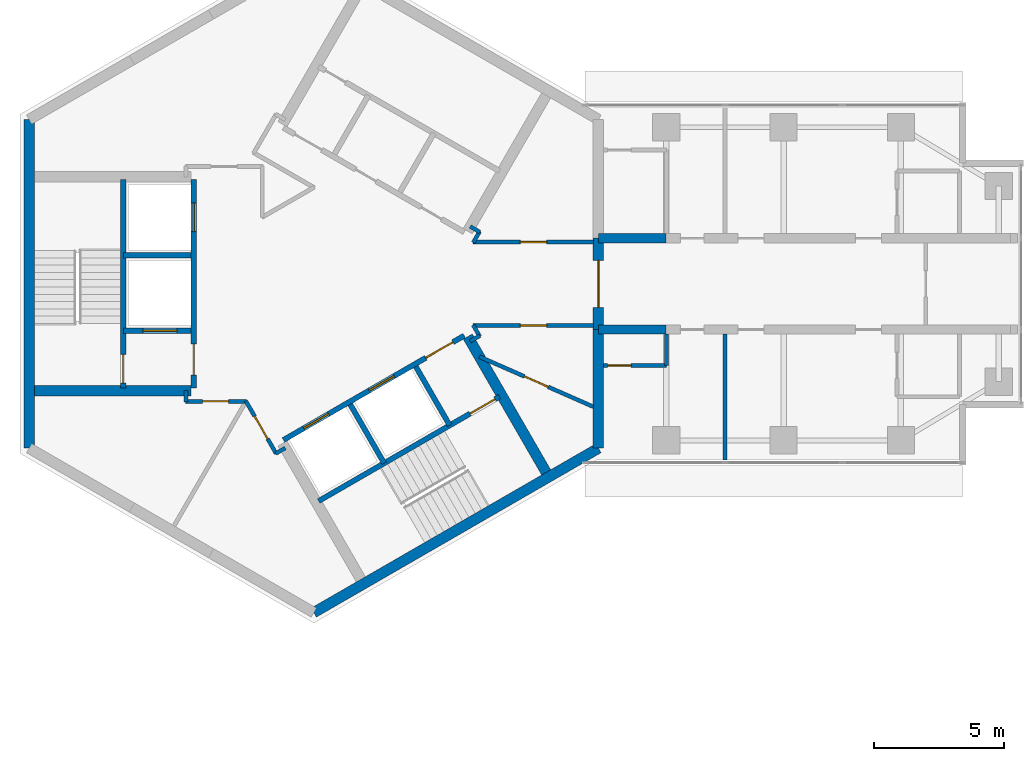
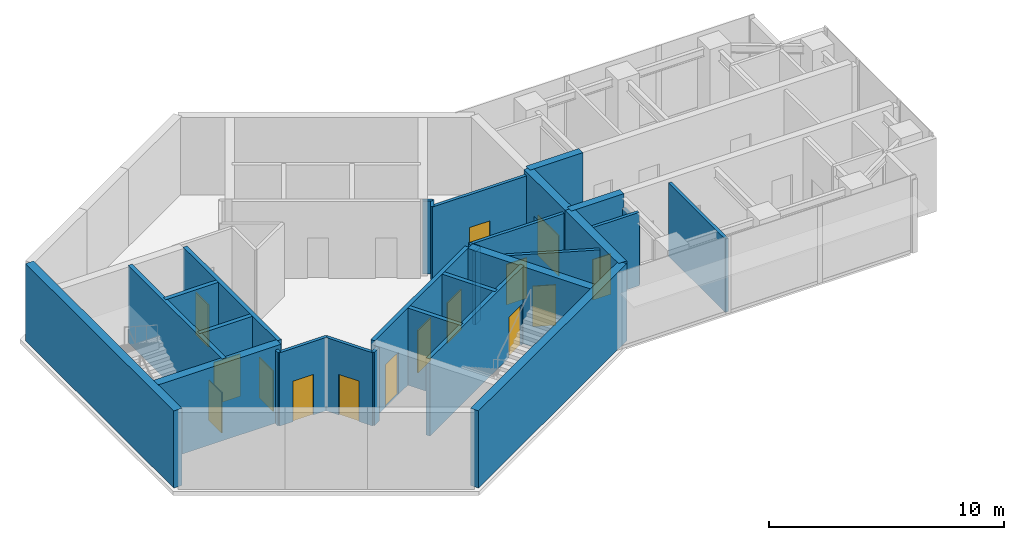
# One storey, part 5 of 11: 30 walls, 15 doors, 15 openings.
"""IFC4 building model written with IfcOpenShell, lengths in metres."""

from ifc_helpers import new_model, si_unit, direction, frame, frame_2d, origin, place, context, subcontext, project, spatial, rectangle, extrude, material, layer, layer_set, type_object, element, fill, save


model = new_model("IFC4")

# Units and contexts
model_context = context("Model", 3, precision=1e-05, world=origin(), true_north=direction((0.0, 1.0)))
body_context = subcontext(model_context, "Body", "Model", "MODEL_VIEW")
ifc_project = project(units=[si_unit("LENGTHUNIT", "METRE"), si_unit("AREAUNIT", "SQUARE_METRE"), si_unit("VOLUMEUNIT", "CUBIC_METRE"), si_unit("PLANEANGLEUNIT", "RADIAN"), si_unit("MASSUNIT", "GRAM", prefix="KILO")], contexts=[model_context])

# Site, building, storey
site_placement = place(None, origin())
site = spatial("IfcSite", under=ifc_project, at=site_placement, CompositionType="ELEMENT")
building_placement = place(site_placement, origin())
building = spatial("IfcBuilding", under=site, at=building_placement, Name="Upepo Twin Towers", CompositionType="ELEMENT")
storey_placement = place(building_placement, frame((0.0, 0.0, 255.5)))
storey = spatial("IfcBuildingStorey", under=building, at=storey_placement, Name="L62", CompositionType="ELEMENT", Elevation=255.5)

# Walls
ifc_material_1 = material(Name="Concrete C60/75", Category="concrete")
ifc_layer_1 = layer(ifc_material_1, 0.35009765625)
ifc_layer_set_1 = layer_set([ifc_layer_1], Name="Concrete C60/75")
wall_type_1 = type_object("IfcWallType", Name="Buttress wall 350 RC", PredefinedType="SHEAR", material=ifc_layer_set_1)
for number, where, z_axis, x_axis, name in (
    (1, (10.908447265625, 1.75, 0.0), (0.0, 0.0, 1.0), (1.0, 0.0, 0.0), "T1 wing A buttress wall L"),
    (2, (10.908447265625, -1.75, 0.0), (0.0, 0.0, 1.0), (1.0, 0.0, 0.0), "T1 wing A buttress wall R"),
):
    element("IfcWall", number, at=place(storey_placement, frame(where, z_axis=z_axis, x_axis=x_axis)), inside=storey, type_object=wall_type_1, Name=name, PredefinedType="SHEAR", context=body_context, shape_type="SweptSolid", body=[
        extrude(rectangle(XDim=2.591552734375, YDim=0.35009765625, at=frame_2d((1.2958984375, 0.0))), origin(), (0.0, 0.0, 1.0), 4.0),
    ])
ifc_material_2 = material(Name="Concrete C60/75", Category="concrete")
ifc_layer_2 = layer(ifc_material_2, 0.39990234375)
ifc_layer_set_2 = layer_set([ifc_layer_2], Name="Concrete C60/75")
wall_type_2 = type_object("IfcWallType", Name="Core wall 400 RC", PredefinedType="SHEAR", material=ifc_layer_set_2)
wall_1_placement = place(storey_placement, frame((10.908447265625, -6.2978515625, 0.0), z_axis=(0.0, 0.0, 1.0), x_axis=(0.0, 1.0, 0.0)))
element("IfcWall", 3, at=wall_1_placement, inside=storey, type_object=wall_type_2, Name="T1 core wall 000 R", PredefinedType="SHEAR", context=body_context, shape_type="SweptSolid", body=[
    extrude(rectangle(XDim=4.5478515625, YDim=0.39990234375, at=frame_2d((2.27392578125, 0.0))), origin(), (0.0, 0.0, 1.0), 4.0),
])

# Wall, opening, door
wall_2_placement = place(storey_placement, frame((10.908447265625, -1.75, 0.0), z_axis=(0.0, 0.0, 1.0), x_axis=(0.0, 1.0, 0.0)))
wall_2 = element("IfcWall", 4, at=wall_2_placement, inside=storey, type_object=wall_type_2, Name="T1 core wall 000", PredefinedType="SHEAR", context=body_context, shape_type="SweptSolid", body=[
    extrude(rectangle(XDim=3.5, YDim=0.39990234375, at=frame_2d((1.75, 0.0))), origin(), (0.0, 0.0, 1.0), 4.0),
])
opening_1_placement = place(wall_2_placement, frame((0.85009765625, 0.0, 0.0)))
opening_1 = element("IfcOpeningElement", 5, at=opening_1_placement, cuts=wall_2, Name="Opening D2", PredefinedType="OPENING", context=body_context, shape_type="SweptSolid", body=[
    extrude(rectangle(XDim=1.800048828125, YDim=2.10009765625, at=frame_2d((0.89990234375, 1.050048828125))), frame((0.0, 0.2099609375, 0.0), z_axis=(0.0, -1.0, 0.0), x_axis=(1.0, 0.0, 0.0)), (0.0, 0.0, 1.0), 0.419921875),
])
ifc_material_3 = material(Name="Timber doorset", Category="wood")
door_type_1 = type_object("IfcDoorType", Name="Corridor double door 1800 FD60", OperationType="DOUBLE_DOOR_DOUBLE_SWING", PredefinedType="DOOR", material=ifc_material_3)
door_1_placement = place(opening_1_placement, origin())
door_1 = element("IfcDoor", 6, at=door_1_placement, inside=storey, type_object=door_type_1, Name="T1 L62 wing A corridor door", OperationType="DOUBLE_DOOR_DOUBLE_SWING", OverallHeight=2.10009765625, OverallWidth=1.800048828125, PredefinedType="DOOR", context=body_context, shape_type="SweptSolid", body=[
    extrude(rectangle(XDim=1.800048828125, YDim=2.10009765625, at=frame_2d((0.89990234375, 1.050048828125))), frame((0.0, 0.02490234375, 0.0), z_axis=(0.0, -1.0, 0.0), x_axis=(1.0, 0.0, 0.0)), (0.0, 0.0, 1.0), 0.050048828125),
])
fill(opening_1, door_1)

# Walls
wall_3_placement = place(storey_placement, frame((-10.908447265625, 6.2978515625, 0.0), z_axis=(0.0, 0.0, 1.0), x_axis=(0.0, -1.0, 0.0)))
element("IfcWall", 7, at=wall_3_placement, inside=storey, type_object=wall_type_2, Name="T1 core wall 180", PredefinedType="SHEAR", context=body_context, shape_type="SweptSolid", body=[
    extrude(rectangle(XDim=12.595703125, YDim=0.39990234375, at=frame_2d((6.2978515625, 0.0))), origin(), (0.0, 0.0, 1.0), 4.0),
])
wall_4_placement = place(storey_placement, frame((0.0, -12.595947265625, 0.0), z_axis=(0.0, 0.0, 1.0), x_axis=(0.866021940709, 0.500005998175, 0.0)))
element("IfcWall", 8, at=wall_4_placement, inside=storey, type_object=wall_type_2, Name="T1 core wall 300", PredefinedType="SHEAR", context=body_context, shape_type="SweptSolid", body=[
    extrude(rectangle(XDim=12.595947265625, YDim=0.39990234375, at=frame_2d((6.2978515625, 0.0))), origin(), (0.0, 0.0, 1.0), 4.0),
])

# Wall, openings, doors
ifc_material_4 = material(Name="Concrete C40/50", Category="concrete")
ifc_layer_3 = layer(ifc_material_4, 0.199951171875)
ifc_layer_set_3 = layer_set([ifc_layer_3], Name="Concrete C40/50")
wall_type_3 = type_object("IfcWallType", Name="Shaft wall 200 RC", PredefinedType="SHEAR", material=ifc_layer_set_3)
wall_5_placement = place(storey_placement, frame((-4.60009765625, 4.0, 0.0), z_axis=(0.0, 0.0, 1.0), x_axis=(0.0, -1.0, 0.0)))
wall_5 = element("IfcWall", 9, at=wall_5_placement, inside=storey, type_object=wall_type_3, Name="T1 core W180 front wall", PredefinedType="SHEAR", context=body_context, shape_type="SweptSolid", body=[
    extrude(rectangle(XDim=8.0, YDim=0.199951171875, at=frame_2d((4.0, 0.0))), origin(), (0.0, 0.0, 1.0), 4.0),
])
opening_2_placement = place(wall_5_placement, frame((6.300048828125, 0.0, 0.0)))
opening_2 = element("IfcOpeningElement", 10, at=opening_2_placement, cuts=wall_5, Name="Opening D4", PredefinedType="OPENING", context=body_context, shape_type="SweptSolid", body=[
    extrude(rectangle(XDim=1.199951171875, YDim=2.10009765625, at=frame_2d((0.60009765625, 1.050048828125))), frame((0.0, 0.10986328125, 0.0), z_axis=(0.0, -1.0, 0.0), x_axis=(1.0, 0.0, 0.0)), (0.0, 0.0, 1.0), 0.219970703125),
])
opening_3_placement = place(wall_5_placement, frame((0.89990234375, 0.0, 0.0)))
opening_3 = element("IfcOpeningElement", 11, at=opening_3_placement, cuts=wall_5, Name="Opening LD1", PredefinedType="OPENING", context=body_context, shape_type="SweptSolid", body=[
    extrude(rectangle(XDim=1.10009765625, YDim=2.199951171875, at=frame_2d((0.550048828125, 1.10009765625))), frame((0.0, 0.10986328125, 0.0), z_axis=(0.0, -1.0, 0.0), x_axis=(1.0, 0.0, 0.0)), (0.0, 0.0, 1.0), 0.219970703125),
])
ifc_material_5 = material(Name="Steel doorset", Category="steel")
door_type_2 = type_object("IfcDoorType", Name="Lift landing door 1100", OperationType="DOUBLE_DOOR_SLIDING", PredefinedType="DOOR", material=ifc_material_5)
door_2_placement = place(opening_3_placement, origin())
door_2 = element("IfcDoor", 12, at=door_2_placement, inside=storey, type_object=door_type_2, Name="T1 L62 lift SV1 landing door", OperationType="DOUBLE_DOOR_SLIDING", OverallHeight=2.199951171875, OverallWidth=1.10009765625, PredefinedType="DOOR", context=body_context, shape_type="SweptSolid", body=[
    extrude(rectangle(XDim=1.10009765625, YDim=2.199951171875, at=frame_2d((0.550048828125, 1.10009765625))), frame((0.0, 0.02490234375, 0.0), z_axis=(0.0, -1.0, 0.0), x_axis=(1.0, 0.0, 0.0)), (0.0, 0.0, 1.0), 0.050048828125),
])
fill(opening_3, door_2)
ifc_material_6 = material(Name="Timber doorset", Category="wood")
door_type_3 = type_object("IfcDoorType", Name="Lobby door 1200 FD60", OperationType="SINGLE_SWING_LEFT", PredefinedType="DOOR", material=ifc_material_6)
door_3_placement = place(opening_2_placement, origin())
door_3 = element("IfcDoor", 13, at=door_3_placement, inside=storey, type_object=door_type_3, Name="T1 L62 W180 lobby door", OperationType="SINGLE_SWING_RIGHT", OverallHeight=2.10009765625, OverallWidth=1.199951171875, PredefinedType="DOOR", context=body_context, shape_type="SweptSolid", body=[
    extrude(rectangle(XDim=1.199951171875, YDim=2.10009765625, at=frame_2d((0.60009765625, 1.050048828125))), frame((0.0, 0.02490234375, 0.0), z_axis=(0.0, -1.0, 0.0), x_axis=(1.0, 0.0, 0.0)), (0.0, 0.0, 1.0), 0.050048828125),
])
fill(opening_2, door_3)

# Wall
wall_6_placement = place(storey_placement, frame((-4.699951171875, 1.10009765625, 0.0), z_axis=(0.0, 0.0, 1.0), x_axis=(-1.0, 0.0, 0.0)))
element("IfcWall", 14, at=wall_6_placement, inside=storey, type_object=wall_type_3, Name="T1 core W180 shaft divider", PredefinedType="SHEAR", context=body_context, shape_type="SweptSolid", body=[
    extrude(rectangle(XDim=2.60009765625, YDim=0.199951171875, at=frame_2d((1.300048828125, 0.0))), origin(), (0.0, 0.0, 1.0), 4.0),
])

# Wall, opening, door
wall_7_placement = place(storey_placement, frame((-4.699951171875, -1.800048828125, 0.0), z_axis=(0.0, 0.0, 1.0), x_axis=(-1.0, 0.0, 0.0)))
wall_7 = element("IfcWall", 15, at=wall_7_placement, inside=storey, type_object=wall_type_3, Name="T1 core W180 lobby wall", PredefinedType="SHEAR", context=body_context, shape_type="SweptSolid", body=[
    extrude(rectangle(XDim=2.60009765625, YDim=0.199951171875, at=frame_2d((1.300048828125, 0.0))), origin(), (0.0, 0.0, 1.0), 4.0),
])
opening_4_placement = place(wall_7_placement, frame((0.550048828125, 0.0, 0.0)))
opening_4 = element("IfcOpeningElement", 16, at=opening_4_placement, cuts=wall_7, Name="Opening LD2", PredefinedType="OPENING", context=body_context, shape_type="SweptSolid", body=[
    extrude(rectangle(XDim=1.300048828125, YDim=2.199951171875, at=frame_2d((0.64990234375, 1.10009765625))), frame((0.0, 0.10986328125, 0.0), z_axis=(0.0, -1.0, 0.0), x_axis=(1.0, 0.0, 0.0)), (0.0, 0.0, 1.0), 0.219970703125),
])
ifc_material_7 = material(Name="Steel doorset", Category="steel")
door_type_4 = type_object("IfcDoorType", Name="Firefighting lift landing door 1300", OperationType="DOUBLE_DOOR_SLIDING", PredefinedType="DOOR", material=ifc_material_7)
door_4_placement = place(opening_4_placement, origin())
door_4 = element("IfcDoor", 17, at=door_4_placement, inside=storey, type_object=door_type_4, Name="T1 L62 firefighting lift landing door", OperationType="DOUBLE_DOOR_SLIDING", OverallHeight=2.199951171875, OverallWidth=1.300048828125, PredefinedType="DOOR", context=body_context, shape_type="SweptSolid", body=[
    extrude(rectangle(XDim=1.300048828125, YDim=2.199951171875, at=frame_2d((0.64990234375, 1.10009765625))), frame((0.0, 0.02490234375, 0.0), z_axis=(0.0, -1.0, 0.0), x_axis=(1.0, 0.0, 0.0)), (0.0, 0.0, 1.0), 0.050048828125),
])
fill(opening_4, door_4)

wall_8_placement = place(storey_placement, frame((-7.300048828125, 4.0, 0.0), z_axis=(0.0, 0.0, 1.0), x_axis=(0.0, -1.0, 0.0)))
wall_8 = element("IfcWall", 18, at=wall_8_placement, inside=storey, type_object=wall_type_3, Name="T1 core W180 stair wall", PredefinedType="SHEAR", context=body_context, shape_type="SweptSolid", body=[
    extrude(rectangle(XDim=8.0, YDim=0.199951171875, at=frame_2d((4.0, 0.0))), origin(), (0.0, 0.0, 1.0), 4.0),
])
opening_5_placement = place(wall_8_placement, frame((6.699951171875, 0.0, 0.0)))
opening_5 = element("IfcOpeningElement", 19, at=opening_5_placement, cuts=wall_8, Name="Opening D3", PredefinedType="OPENING", context=body_context, shape_type="SweptSolid", body=[
    extrude(rectangle(XDim=1.10009765625, YDim=2.10009765625, at=frame_2d((0.550048828125, 1.050048828125))), frame((0.0, 0.10986328125, 0.0), z_axis=(0.0, -1.0, 0.0), x_axis=(1.0, 0.0, 0.0)), (0.0, 0.0, 1.0), 0.219970703125),
])
ifc_material_8 = material(Name="Timber doorset", Category="wood")
door_type_5 = type_object("IfcDoorType", Name="Stair door 1100 FD60", OperationType="SINGLE_SWING_LEFT", PredefinedType="DOOR", material=ifc_material_8)
door_5_placement = place(opening_5_placement, origin())
door_5 = element("IfcDoor", 20, at=door_5_placement, inside=storey, type_object=door_type_5, Name="T1 L62 stair door", OperationType="SINGLE_SWING_RIGHT", OverallHeight=2.10009765625, OverallWidth=1.10009765625, PredefinedType="DOOR", context=body_context, shape_type="SweptSolid", body=[
    extrude(rectangle(XDim=1.10009765625, YDim=2.10009765625, at=frame_2d((0.550048828125, 1.050048828125))), frame((0.0, 0.02490234375, 0.0), z_axis=(0.0, -1.0, 0.0), x_axis=(1.0, 0.0, 0.0)), (0.0, 0.0, 1.0), 0.050048828125),
])
fill(opening_5, door_5)

# Wall, openings, doors
wall_9_placement = place(storey_placement, frame((-1.1640625, -5.983642578125, 0.0), z_axis=(0.0, 0.0, 1.0), x_axis=(0.866026010844, 0.49999894854, 0.0)))
wall_9 = element("IfcWall", 21, at=wall_9_placement, inside=storey, type_object=wall_type_3, Name="T1 core W300 front wall", PredefinedType="SHEAR", context=body_context, shape_type="SweptSolid", body=[
    extrude(rectangle(XDim=8.0, YDim=0.199951171875, at=frame_2d((4.0, 0.0))), origin(), (0.0, 0.0, 1.0), 4.0),
])
opening_6_placement = place(wall_9_placement, frame((6.300048828125, 0.0, 0.0)))
opening_6 = element("IfcOpeningElement", 22, at=opening_6_placement, cuts=wall_9, Name="Opening D4", PredefinedType="OPENING", context=body_context, shape_type="SweptSolid", body=[
    extrude(rectangle(XDim=1.199951171875, YDim=2.10009765625, at=frame_2d((0.60009765625, 1.050048828125))), frame((0.0, 0.10986328125, 0.0), z_axis=(0.0, -1.0, 0.0), x_axis=(1.0, 0.0, 0.0)), (0.0, 0.0, 1.0), 0.219970703125),
])
opening_7_placement = place(wall_9_placement, frame((0.89990234375, 0.0, 0.0)))
opening_7 = element("IfcOpeningElement", 23, at=opening_7_placement, cuts=wall_9, Name="Opening LD1", PredefinedType="OPENING", context=body_context, shape_type="SweptSolid", body=[
    extrude(rectangle(XDim=1.10009765625, YDim=2.199951171875, at=frame_2d((0.550048828125, 1.10009765625))), frame((0.0, 0.10986328125, 0.0), z_axis=(0.0, -1.0, 0.0), x_axis=(1.0, 0.0, 0.0)), (0.0, 0.0, 1.0), 0.219970703125),
])
opening_8_placement = place(wall_9_placement, frame((3.800048828125, 0.0, 0.0)))
opening_8 = element("IfcOpeningElement", 24, at=opening_8_placement, cuts=wall_9, Name="Opening LD1", PredefinedType="OPENING", context=body_context, shape_type="SweptSolid", body=[
    extrude(rectangle(XDim=1.10009765625, YDim=2.199951171875, at=frame_2d((0.550048828125, 1.10009765625))), frame((0.0, 0.10986328125, 0.0), z_axis=(0.0, -1.0, 0.0), x_axis=(1.0, 0.0, 0.0)), (0.0, 0.0, 1.0), 0.219970703125),
])
door_6_placement = place(opening_7_placement, origin())
door_6 = element("IfcDoor", 25, at=door_6_placement, inside=storey, type_object=door_type_2, Name="T1 L62 lift TL1 landing door", OperationType="DOUBLE_DOOR_SLIDING", OverallHeight=2.199951171875, OverallWidth=1.10009765625, PredefinedType="DOOR", context=body_context, shape_type="SweptSolid", body=[
    extrude(rectangle(XDim=1.10009765625, YDim=2.199951171875, at=frame_2d((0.550048828125, 1.10009765625))), frame((0.0, 0.02490234375, 0.0), z_axis=(0.0, -1.0, 0.0), x_axis=(1.0, 0.0, 0.0)), (0.0, 0.0, 1.0), 0.050048828125),
])
fill(opening_7, door_6)
door_7_placement = place(opening_8_placement, origin())
door_7 = element("IfcDoor", 26, at=door_7_placement, inside=storey, type_object=door_type_2, Name="T1 L62 lift TL2 landing door", OperationType="DOUBLE_DOOR_SLIDING", OverallHeight=2.199951171875, OverallWidth=1.10009765625, PredefinedType="DOOR", context=body_context, shape_type="SweptSolid", body=[
    extrude(rectangle(XDim=1.10009765625, YDim=2.199951171875, at=frame_2d((0.550048828125, 1.10009765625))), frame((0.0, 0.02490234375, 0.0), z_axis=(0.0, -1.0, 0.0), x_axis=(1.0, 0.0, 0.0)), (0.0, 0.0, 1.0), 0.050048828125),
])
fill(opening_8, door_7)
door_8_placement = place(opening_6_placement, origin())
door_8 = element("IfcDoor", 27, at=door_8_placement, inside=storey, type_object=door_type_3, Name="T1 L62 W300 lobby door", OperationType="SINGLE_SWING_RIGHT", OverallHeight=2.10009765625, OverallWidth=1.199951171875, PredefinedType="DOOR", context=body_context, shape_type="SweptSolid", body=[
    extrude(rectangle(XDim=1.199951171875, YDim=2.10009765625, at=frame_2d((0.60009765625, 1.050048828125))), frame((0.0, 0.02490234375, 0.0), z_axis=(0.0, -1.0, 0.0), x_axis=(1.0, 0.0, 0.0)), (0.0, 0.0, 1.0), 0.050048828125),
])
fill(opening_6, door_8)

# Walls
wall_10_placement = place(storey_placement, frame((1.3974609375, -4.620361328125, 0.0), z_axis=(0.0, 0.0, 1.0), x_axis=(0.499936506574, -0.866062058628, 0.0)))
element("IfcWall", 28, at=wall_10_placement, inside=storey, type_object=wall_type_3, Name="T1 core W300 shaft divider", PredefinedType="SHEAR", context=body_context, shape_type="SweptSolid", body=[
    extrude(rectangle(XDim=2.599853515625, YDim=0.199951171875, at=frame_2d((1.2998046875, 0.0))), origin(), (0.0, 0.0, 1.0), 4.0),
])
wall_11_placement = place(storey_placement, frame((3.908935546875, -3.17041015625, 0.0), z_axis=(0.0, 0.0, 1.0), x_axis=(0.49997716683, -0.86603858612, 0.0)))
element("IfcWall", 29, at=wall_11_placement, inside=storey, type_object=wall_type_3, Name="T1 core W300 lobby wall", PredefinedType="SHEAR", context=body_context, shape_type="SweptSolid", body=[
    extrude(rectangle(XDim=2.599609375, YDim=0.199951171875, at=frame_2d((1.2998046875, 0.0))), origin(), (0.0, 0.0, 1.0), 4.0),
])

# Wall, opening, door
wall_12_placement = place(storey_placement, frame((0.185791015625, -8.322021484375, 0.0), z_axis=(0.0, 0.0, 1.0), x_axis=(0.866026010844, 0.49999894854, 0.0)))
wall_12 = element("IfcWall", 30, at=wall_12_placement, inside=storey, type_object=wall_type_3, Name="T1 core W300 stair wall", PredefinedType="SHEAR", context=body_context, shape_type="SweptSolid", body=[
    extrude(rectangle(XDim=8.0, YDim=0.199951171875, at=frame_2d((4.0, 0.0))), origin(), (0.0, 0.0, 1.0), 4.0),
])
opening_9_placement = place(wall_12_placement, frame((6.699951171875, 0.0, 0.0)))
opening_9 = element("IfcOpeningElement", 31, at=opening_9_placement, cuts=wall_12, Name="Opening D3", PredefinedType="OPENING", context=body_context, shape_type="SweptSolid", body=[
    extrude(rectangle(XDim=1.10009765625, YDim=2.10009765625, at=frame_2d((0.550048828125, 1.050048828125))), frame((0.0, 0.10986328125, 0.0), z_axis=(0.0, -1.0, 0.0), x_axis=(1.0, 0.0, 0.0)), (0.0, 0.0, 1.0), 0.219970703125),
])
door_9_placement = place(opening_9_placement, origin())
door_9 = element("IfcDoor", 32, at=door_9_placement, inside=storey, type_object=door_type_5, Name="T1 L62 stair door", OperationType="SINGLE_SWING_RIGHT", OverallHeight=2.10009765625, OverallWidth=1.10009765625, PredefinedType="DOOR", context=body_context, shape_type="SweptSolid", body=[
    extrude(rectangle(XDim=1.10009765625, YDim=2.10009765625, at=frame_2d((0.550048828125, 1.050048828125))), frame((0.0, 0.02490234375, 0.0), z_axis=(0.0, -1.0, 0.0), x_axis=(1.0, 0.0, 0.0)), (0.0, 0.0, 1.0), 0.050048828125),
])
fill(opening_9, door_9)

# Walls
ifc_material_9 = material(Name="Concrete C40/50", Category="concrete")
ifc_layer_4 = layer(ifc_material_9, 0.39990234375)
ifc_layer_set_4 = layer_set([ifc_layer_4], Name="Concrete C40/50")
wall_type_4 = type_object("IfcWallType", Name="Shaft wall 400 RC", PredefinedType="SHEAR", material=ifc_layer_set_4)
for number, where, z_axis, x_axis, name in (
    (33, (-4.699951171875, -4.10009765625, 0.0), (0.0, 0.0, 1.0), (-1.0, 0.0, 0.0), "T1 core W180 side wall N"),
    (34, (5.900634765625, -2.020263671875, 0.0), (0.0, 0.0, 1.0), (0.499997979876, -0.866026570101, 0.0), "T1 core W300 side wall N"),
):
    element("IfcWall", number, at=place(storey_placement, frame(where, z_axis=z_axis, x_axis=x_axis)), inside=storey, type_object=wall_type_4, Name=name, PredefinedType="SHEAR", context=body_context, shape_type="SweptSolid", body=[
        extrude(rectangle(XDim=6.00830078125, YDim=0.39990234375, at=frame_2d((3.004150390625, 0.0))), origin(), (0.0, 0.0, 1.0), 4.0),
    ])
ifc_material_10 = material(Name="Gypsum board on steel studs", Category="steel")
ifc_layer_5 = layer(ifc_material_10, 0.14990234375)
ifc_layer_set_5 = layer_set([ifc_layer_5], Name="Teaching partition 150 acoustic")
wall_type_5 = type_object("IfcWallType", Name="Teaching partition 150 acoustic", PredefinedType="PARTITIONING", material=ifc_layer_set_5)
wall_13_placement = place(storey_placement, frame((15.75, -1.925048828125, 0.0), z_axis=(0.0, 0.0, 1.0), x_axis=(0.0, -1.0, 0.0)))
element("IfcWall", 35, at=wall_13_placement, inside=storey, type_object=wall_type_5, Name="T1 partition AR at 15.75", PredefinedType="PARTITIONING", context=body_context, shape_type="SweptSolid", body=[
    extrude(rectangle(XDim=4.824951171875, YDim=0.14990234375, at=frame_2d((2.41259765625, 0.0))), origin(), (0.0, 0.0, 1.0), 3.800048828125),
])

# Wall, opening, door
wall_14_placement = place(storey_placement, frame((11.10791015625, -3.125, 0.0), z_axis=(0.0, 0.0, 1.0), x_axis=(1.0, 0.0, 0.0)))
wall_14 = element("IfcWall", 36, at=wall_14_placement, inside=storey, type_object=wall_type_5, Name="T1 WC bay partition AR at 11.11", PredefinedType="PARTITIONING", context=body_context, shape_type="SweptSolid", body=[
    extrude(rectangle(XDim=2.400146484375, YDim=0.14990234375, at=frame_2d((1.2001953125, 0.0))), origin(), (0.0, 0.0, 1.0), 3.800048828125),
])
opening_10_placement = place(wall_14_placement, frame((0.14990234375, 0.0, 0.0)))
opening_10 = element("IfcOpeningElement", 37, at=opening_10_placement, cuts=wall_14, Name="Opening D14", PredefinedType="OPENING", context=body_context, shape_type="SweptSolid", body=[
    extrude(rectangle(XDim=0.89990234375, YDim=2.10009765625, at=frame_2d((0.449951171875, 1.050048828125))), frame((0.0, 0.0849609375, 0.0), z_axis=(0.0, -1.0, 0.0), x_axis=(1.0, 0.0, 0.0)), (0.0, 0.0, 1.0), 0.169921875),
])
ifc_material_11 = material(Name="Timber doorset", Category="wood")
door_type_6 = type_object("IfcDoorType", Name="Office door 900 FD30", OperationType="SINGLE_SWING_LEFT", PredefinedType="DOOR", material=ifc_material_11)
door_10_placement = place(opening_10_placement, origin())
door_10 = element("IfcDoor", 38, at=door_10_placement, inside=storey, type_object=door_type_6, Name="T1 L62 WC bay inner room door", OperationType="SINGLE_SWING_LEFT", OverallHeight=2.10009765625, OverallWidth=0.89990234375, PredefinedType="DOOR", context=body_context, shape_type="SweptSolid", body=[
    extrude(rectangle(XDim=0.89990234375, YDim=2.10009765625, at=frame_2d((0.449951171875, 1.050048828125))), frame((0.0, 0.02490234375, 0.0), z_axis=(0.0, -1.0, 0.0), x_axis=(1.0, 0.0, 0.0)), (0.0, 0.0, 1.0), 0.050048828125),
])
fill(opening_10, door_10)

# Walls
wall_15_placement = place(storey_placement, frame((13.508056640625, -1.925048828125, 0.0), z_axis=(0.0, 0.0, 1.0), x_axis=(0.0, -1.0, 0.0)))
element("IfcWall", 39, at=wall_15_placement, inside=storey, type_object=wall_type_5, Name="T1 WC bay partition AR end at 13.51", PredefinedType="PARTITIONING", context=body_context, shape_type="SweptSolid", body=[
    extrude(rectangle(XDim=1.199951171875, YDim=0.14990234375, at=frame_2d((0.60009765625, 0.0))), origin(), (0.0, 0.0, 1.0), 3.266845703125),
])
for number, where, z_axis, x_axis, name in (
    (40, (6.364501953125, -1.9833984375, 0.0), (0.0, 0.0, 1.0), (-0.865892400268, -0.500230298122, 0.0), "T1 core room partition 1"),
    (41, (-1.092041015625, -6.28857421875, 0.0), (0.0, 0.0, 1.0), (-0.866138304741, -0.499804398801, 0.0), "T1 core room partition 2"),
):
    element("IfcWall", number, at=place(storey_placement, frame(where, z_axis=z_axis, x_axis=x_axis)), inside=storey, type_object=wall_type_5, Name=name, PredefinedType="PARTITIONING", context=body_context, shape_type="SweptSolid", body=[
        extrude(rectangle(XDim=0.429931640625, YDim=0.14990234375, at=frame_2d((0.21484375, 0.0))), origin(), (0.0, 0.0, 1.0), 3.800048828125),
    ])

# Wall, opening, door
wall_16_placement = place(storey_placement, frame((-1.43701171875, -6.5107421875, 0.0), z_axis=(0.0, 0.0, 1.0), x_axis=(-0.500074377092, 0.865982457891, 0.0)))
wall_16 = element("IfcWall", 42, at=wall_16_placement, inside=storey, type_object=wall_type_5, Name="T1 core room partition 3", PredefinedType="PARTITIONING", context=body_context, shape_type="SweptSolid", body=[
    extrude(rectangle(XDim=2.342041015625, YDim=0.14990234375, at=frame_2d((1.1708984375, 0.0))), origin(), (0.0, 0.0, 1.0), 3.800048828125),
])
opening_11_placement = place(wall_16_placement, frame((0.660888671875, 0.0, 0.0)))
opening_11 = element("IfcOpeningElement", 43, at=opening_11_placement, cuts=wall_16, Name="Opening D1", PredefinedType="OPENING", context=body_context, shape_type="SweptSolid", body=[
    extrude(rectangle(XDim=1.0, YDim=2.10009765625, at=frame_2d((0.5, 1.050048828125))), frame((0.0, 0.0849609375, 0.0), z_axis=(0.0, -1.0, 0.0), x_axis=(1.0, 0.0, 0.0)), (0.0, 0.0, 1.0), 0.169921875),
])
ifc_material_12 = material(Name="Timber doorset", Category="wood")
door_type_7 = type_object("IfcDoorType", Name="Room door 1000 FD30", OperationType="SINGLE_SWING_LEFT", PredefinedType="DOOR", material=ifc_material_12)
door_11_placement = place(opening_11_placement, origin())
door_11 = element("IfcDoor", 44, at=door_11_placement, inside=storey, type_object=door_type_7, Name="T1 L62 core room door K2", OperationType="SINGLE_SWING_LEFT", OverallHeight=2.10009765625, OverallWidth=1.0, PredefinedType="DOOR", context=body_context, shape_type="SweptSolid", body=[
    extrude(rectangle(XDim=1.0, YDim=2.10009765625, at=frame_2d((0.5, 1.050048828125))), frame((0.0, 0.02490234375, 0.0), z_axis=(0.0, -1.0, 0.0), x_axis=(1.0, 0.0, 0.0)), (0.0, 0.0, 1.0), 0.050048828125),
])
fill(opening_11, door_11)

wall_17_placement = place(storey_placement, frame((-2.578125, -4.5, 0.0), z_axis=(0.0, 0.0, 1.0), x_axis=(-1.0, 0.0, 0.0)))
wall_17 = element("IfcWall", 45, at=wall_17_placement, inside=storey, type_object=wall_type_5, Name="T1 core room partition 4", PredefinedType="PARTITIONING", context=body_context, shape_type="SweptSolid", body=[
    extrude(rectangle(XDim=2.341796875, YDim=0.14990234375, at=frame_2d((1.1708984375, 0.0))), origin(), (0.0, 0.0, 1.0), 3.800048828125),
])
opening_12_placement = place(wall_17_placement, frame((0.68115234375, 0.0, 0.0)))
opening_12 = element("IfcOpeningElement", 46, at=opening_12_placement, cuts=wall_17, Name="Opening D1", PredefinedType="OPENING", context=body_context, shape_type="SweptSolid", body=[
    extrude(rectangle(XDim=1.0, YDim=2.10009765625, at=frame_2d((0.5, 1.050048828125))), frame((0.0, 0.0849609375, 0.0), z_axis=(0.0, -1.0, 0.0), x_axis=(1.0, 0.0, 0.0)), (0.0, 0.0, 1.0), 0.169921875),
])
door_12_placement = place(opening_12_placement, origin())
door_12 = element("IfcDoor", 47, at=door_12_placement, inside=storey, type_object=door_type_7, Name="T1 L62 core room door K1", OperationType="SINGLE_SWING_RIGHT", OverallHeight=2.10009765625, OverallWidth=1.0, PredefinedType="DOOR", context=body_context, shape_type="SweptSolid", body=[
    extrude(rectangle(XDim=1.0, YDim=2.10009765625, at=frame_2d((0.5, 1.050048828125))), frame((0.0, 0.02490234375, 0.0), z_axis=(0.0, -1.0, 0.0), x_axis=(1.0, 0.0, 0.0)), (0.0, 0.0, 1.0), 0.050048828125),
])
fill(opening_12, door_12)

# Walls
for number, where, z_axis, x_axis, name in (
    (48, (-4.89990234375, -4.52001953125, 0.0), (0.0, 0.0, 1.0), (0.0, 1.0, 0.0), "T1 core room partition 5"),
    (49, (5.9921875, 2.198486328125, 0.0), (0.0, 0.0, 1.0), (0.865892400268, -0.500230298122, 0.0), "T1 core room partition 13"),
):
    element("IfcWall", number, at=place(storey_placement, frame(where, z_axis=z_axis, x_axis=x_axis)), inside=storey, type_object=wall_type_5, Name=name, PredefinedType="PARTITIONING", context=body_context, shape_type="SweptSolid", body=[
        extrude(rectangle(XDim=0.429931640625, YDim=0.14990234375, at=frame_2d((0.21484375, 0.0))), origin(), (0.0, 0.0, 1.0), 3.800048828125),
    ])
wall_18_placement = place(storey_placement, frame((6.357177734375, 2.0107421875, 0.0), z_axis=(0.0, 0.0, 1.0), x_axis=(-0.50033519877, -0.865831790172, 0.0)))
element("IfcWall", 50, at=wall_18_placement, inside=storey, type_object=wall_type_5, Name="T1 core room partition 14", PredefinedType="PARTITIONING", context=body_context, shape_type="SweptSolid", body=[
    extrude(rectangle(XDim=0.494384765625, YDim=0.14990234375, at=frame_2d((0.2470703125, 0.0))), origin(), (0.0, 0.0, 1.0), 3.800048828125),
])

# Wall, opening, door
wall_19_placement = place(storey_placement, frame((6.099853515625, 1.60009765625, 0.0), z_axis=(0.0, 0.0, 1.0), x_axis=(1.0, 0.0, 0.0)))
wall_19 = element("IfcWall", 51, at=wall_19_placement, inside=storey, type_object=wall_type_5, Name="T1 core room partition 15", PredefinedType="PARTITIONING", context=body_context, shape_type="SweptSolid", body=[
    extrude(rectangle(XDim=4.618408203125, YDim=0.14990234375, at=frame_2d((2.30908203125, 0.0))), origin(), (0.0, 0.0, 1.0), 3.800048828125),
])
opening_13_placement = place(wall_19_placement, frame((1.8193359375, 0.0, 0.0)))
opening_13 = element("IfcOpeningElement", 52, at=opening_13_placement, cuts=wall_19, Name="Opening D1", PredefinedType="OPENING", context=body_context, shape_type="SweptSolid", body=[
    extrude(rectangle(XDim=1.0, YDim=2.10009765625, at=frame_2d((0.5, 1.050048828125))), frame((0.0, 0.0849609375, 0.0), z_axis=(0.0, -1.0, 0.0), x_axis=(1.0, 0.0, 0.0)), (0.0, 0.0, 1.0), 0.169921875),
])
door_13_placement = place(opening_13_placement, origin())
door_13 = element("IfcDoor", 53, at=door_13_placement, inside=storey, type_object=door_type_7, Name="T1 L62 core room door K5", OperationType="SINGLE_SWING_RIGHT", OverallHeight=2.10009765625, OverallWidth=1.0, PredefinedType="DOOR", context=body_context, shape_type="SweptSolid", body=[
    extrude(rectangle(XDim=1.0, YDim=2.10009765625, at=frame_2d((0.5, 1.050048828125))), frame((0.0, 0.02490234375, 0.0), z_axis=(0.0, -1.0, 0.0), x_axis=(1.0, 0.0, 0.0)), (0.0, 0.0, 1.0), 0.050048828125),
])
fill(opening_13, door_13)

wall_20_placement = place(storey_placement, frame((10.71826171875, -1.60009765625, 0.0), z_axis=(0.0, 0.0, 1.0), x_axis=(-1.0, 0.0, 0.0)))
wall_20 = element("IfcWall", 54, at=wall_20_placement, inside=storey, type_object=wall_type_5, Name="T1 core room partition 16", PredefinedType="PARTITIONING", context=body_context, shape_type="SweptSolid", body=[
    extrude(rectangle(XDim=4.618408203125, YDim=0.14990234375, at=frame_2d((2.30908203125, 0.0))), origin(), (0.0, 0.0, 1.0), 3.800048828125),
])
opening_14_placement = place(wall_20_placement, frame((1.799072265625, 0.0, 0.0)))
opening_14 = element("IfcOpeningElement", 55, at=opening_14_placement, cuts=wall_20, Name="Opening D1", PredefinedType="OPENING", context=body_context, shape_type="SweptSolid", body=[
    extrude(rectangle(XDim=1.0, YDim=2.10009765625, at=frame_2d((0.5, 1.050048828125))), frame((0.0, 0.0849609375, 0.0), z_axis=(0.0, -1.0, 0.0), x_axis=(1.0, 0.0, 0.0)), (0.0, 0.0, 1.0), 0.169921875),
])
door_14_placement = place(opening_14_placement, origin())
door_14 = element("IfcDoor", 56, at=door_14_placement, inside=storey, type_object=door_type_7, Name="T1 L62 core room door K3", OperationType="SINGLE_SWING_LEFT", OverallHeight=2.10009765625, OverallWidth=1.0, PredefinedType="DOOR", context=body_context, shape_type="SweptSolid", body=[
    extrude(rectangle(XDim=1.0, YDim=2.10009765625, at=frame_2d((0.5, 1.050048828125))), frame((0.0, 0.02490234375, 0.0), z_axis=(0.0, -1.0, 0.0), x_axis=(1.0, 0.0, 0.0)), (0.0, 0.0, 1.0), 0.050048828125),
])
fill(opening_14, door_14)

# Wall
wall_21_placement = place(storey_placement, frame((6.10986328125, -1.582763671875, 0.0), z_axis=(0.0, 0.0, 1.0), x_axis=(0.50033519877, -0.865831790172, 0.0)))
element("IfcWall", 57, at=wall_21_placement, inside=storey, type_object=wall_type_5, Name="T1 core room partition 17", PredefinedType="PARTITIONING", context=body_context, shape_type="SweptSolid", body=[
    extrude(rectangle(XDim=0.494384765625, YDim=0.14990234375, at=frame_2d((0.2470703125, 0.0))), origin(), (0.0, 0.0, 1.0), 3.800048828125),
])

# Wall, opening, door
wall_22_placement = place(storey_placement, frame((6.344482421875, -2.7890625, 0.0), z_axis=(0.0, 0.0, 1.0), x_axis=(0.915438841787, -0.402457111937, 0.0)))
wall_22 = element("IfcWall", 58, at=wall_22_placement, inside=storey, type_object=wall_type_5, Name="T1 core room partition 19", PredefinedType="PARTITIONING", context=body_context, shape_type="SweptSolid", body=[
    extrude(rectangle(XDim=4.766845703125, YDim=0.14990234375, at=frame_2d((2.38330078125, 0.0))), origin(), (0.0, 0.0, 1.0), 3.800048828125),
])
opening_15_placement = place(wall_22_placement, frame((1.88330078125, 0.0, 0.0)))
opening_15 = element("IfcOpeningElement", 59, at=opening_15_placement, cuts=wall_22, Name="Opening D1", PredefinedType="OPENING", context=body_context, shape_type="SweptSolid", body=[
    extrude(rectangle(XDim=1.0, YDim=2.10009765625, at=frame_2d((0.5, 1.050048828125))), frame((0.0, 0.0849609375, 0.0), z_axis=(0.0, -1.0, 0.0), x_axis=(1.0, 0.0, 0.0)), (0.0, 0.0, 1.0), 0.169921875),
])
door_15_placement = place(opening_15_placement, origin())
door_15 = element("IfcDoor", 60, at=door_15_placement, inside=storey, type_object=door_type_7, Name="T1 L62 core room door K4", OperationType="SINGLE_SWING_LEFT", OverallHeight=2.10009765625, OverallWidth=1.0, PredefinedType="DOOR", context=body_context, shape_type="SweptSolid", body=[
    extrude(rectangle(XDim=1.0, YDim=2.10009765625, at=frame_2d((0.5, 1.050048828125))), frame((0.0, 0.02490234375, 0.0), z_axis=(0.0, -1.0, 0.0), x_axis=(1.0, 0.0, 0.0)), (0.0, 0.0, 1.0), 0.050048828125),
])
fill(opening_15, door_15)

save(model, "model.ifc")
